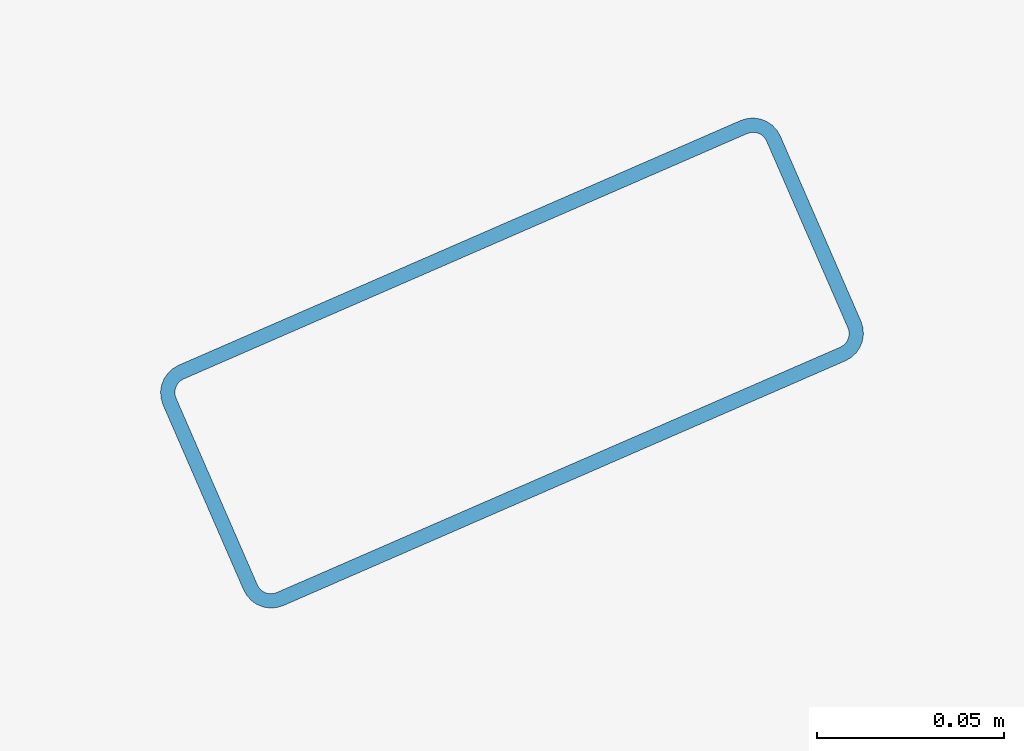
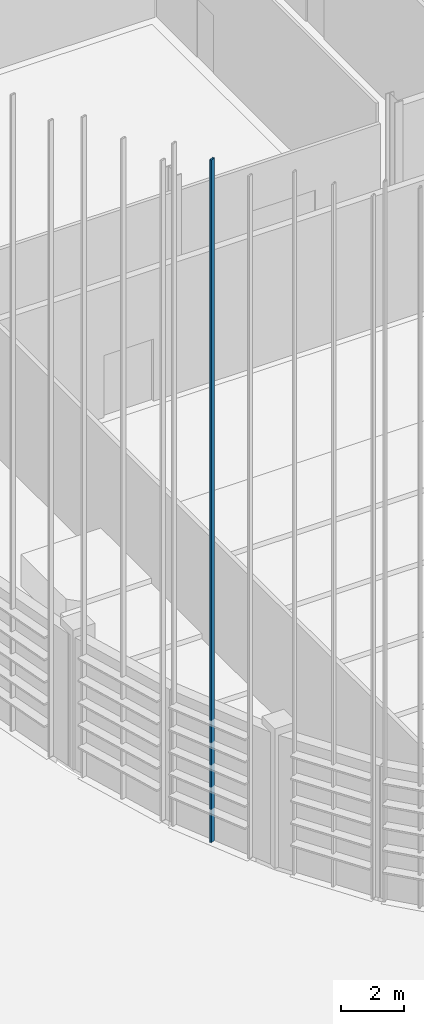
# One storey, part 69 of 372: 1 member.
"""IFC4 building model written with IfcOpenShell, lengths in metres."""

import ifcopenshell
import ifcopenshell.guid

model = None  # the IFC model being written
_history = None  # IfcOwnerHistory: only IFC2X3 demands one
_inside = {}  # id of a spatial element -> (the spatial element, [elements in it])
_under = {}  # id of a project, library or spatial element -> (it, [spatial elements below it])
_declared = {}  # id of a project -> (the project, [libraries it declares])
_typed = {}  # id of a type object -> (the type object, [elements of that type])
_made_of = {}  # id of a material, layer set ... -> (it, [elements and type objects made of it])


def new_model(schema):
    """Start an empty IFC model of exactly this schema.

    Asked for "IFC4X3", IfcOpenShell would pick the latest addendum, in which some entities
    have other attributes; the version numbers below select the first issue.
    IFC2X3 requires an IfcOwnerHistory on every rooted entity: one is made here for all.
    """
    global model, _history
    if schema == "IFC4X3":
        model = ifcopenshell.file(schema_version=(4, 3, 0, 0))
    else:
        model = ifcopenshell.file(schema=schema)
    _inside.clear()
    _under.clear()
    _declared.clear()
    _typed.clear()
    _made_of.clear()
    _history = None
    if model.schema == "IFC2X3":
        org = make("IfcOrganization", Name="unknown")
        user = make(
            "IfcPersonAndOrganization",
            ThePerson=make("IfcPerson", FamilyName="unknown"),
            TheOrganization=org,
        )
        app = make(
            "IfcApplication",
            ApplicationDeveloper=org,
            Version="unknown",
            ApplicationFullName="unknown",
            ApplicationIdentifier="unknown",
        )
        _history = make(
            "IfcOwnerHistory",
            OwningUser=user,
            OwningApplication=app,
            ChangeAction="ADDED",
            CreationDate=0,
        )
    return model


def make(cls, **values):
    """One entity of the class cls with the attributes given. An attribute that is None is left unset."""
    return model.create_entity(
        cls, **{name: value for name, value in values.items() if value is not None}
    )


def rooted(cls, **values):
    """An entity with a GlobalId (a new one), such as an element, a storey or a relation."""
    return make(cls, GlobalId=ifcopenshell.guid.new(), OwnerHistory=_history, **values)


def si_unit(unit_type, name, prefix=None):
    """IfcSIUnit, for example si_unit("LENGTHUNIT", "METRE", prefix="MILLI")."""
    return make("IfcSIUnit", UnitType=unit_type, Prefix=prefix, Name=name)


def assignment(units):
    """IfcUnitAssignment: the units of a project."""
    return None if units is None else make("IfcUnitAssignment", Units=units)


def point(xyz):
    """IfcCartesianPoint."""
    return None if xyz is None else make("IfcCartesianPoint", Coordinates=xyz)


def direction(xyz):
    """IfcDirection."""
    return None if xyz is None else make("IfcDirection", DirectionRatios=xyz)


def frame(location, z_axis=None, x_axis=None):
    """IfcAxis2Placement3D, a coordinate frame: its origin and axes. An axis left out is left unset."""
    return make(
        "IfcAxis2Placement3D",
        Location=point(location),
        Axis=direction(z_axis),
        RefDirection=direction(x_axis),
    )


def frame_2d(location, x_axis=None):
    """IfcAxis2Placement2D, a coordinate frame in the plane: its origin and x axis."""
    return make(
        "IfcAxis2Placement2D", Location=point(location), RefDirection=direction(x_axis)
    )


def origin():
    """The frame at (0, 0, 0) with its axes left unset."""
    return frame((0.0, 0.0, 0.0))


def origin_2d():
    """The frame at (0, 0) in the plane with its x axis left unset."""
    return frame_2d((0.0, 0.0))


def place(relative_to, where):
    """IfcLocalPlacement: puts the frame where relative to a parent placement (None: the world)."""
    return make(
        "IfcLocalPlacement", PlacementRelTo=relative_to, RelativePlacement=where
    )


def context(
    kind, dimensions, precision=None, world=None, true_north=None, identifier=None
):
    """IfcGeometricRepresentationContext, for example the 3D "Model" context."""
    return make(
        "IfcGeometricRepresentationContext",
        ContextIdentifier=identifier,
        ContextType=kind,
        CoordinateSpaceDimension=dimensions,
        Precision=precision,
        WorldCoordinateSystem=world,
        TrueNorth=true_north,
    )


def subcontext(parent, identifier, kind, view, scale=None):
    """IfcGeometricRepresentationSubContext, for example "Body" below "Model"."""
    return make(
        "IfcGeometricRepresentationSubContext",
        ContextIdentifier=identifier,
        ContextType=kind,
        ParentContext=parent,
        TargetScale=scale,
        TargetView=view,
    )


def project(units=None, contexts=None):
    """IfcProject with its units and contexts."""
    return rooted(
        "IfcProject",
        Name="project",
        RepresentationContexts=contexts,
        UnitsInContext=assignment(units),
    )


def spatial(cls, under=None, at=None, **own):
    """A site, building, storey or space (cls), placed at a placement, below another one or the project."""
    s = rooted(cls, ObjectPlacement=at, **own)
    if under is not None:
        _under.setdefault(under.id(), (under, []))[1].append(s)
    return s


def profile(cls, at=None, kind="AREA", **sizes):
    """A parametric profile (cls). Its sizes go by their IFC names, for example OverallWidth=200.0."""
    return make(cls, ProfileType=kind, Position=at, **sizes)


def hollow_rectangle(**sizes):
    """IfcRectangleHollowProfileDef."""
    return profile("IfcRectangleHollowProfileDef", **sizes)


def extrude(swept, where, along, depth):
    """IfcExtrudedAreaSolid: the profile swept, set in the frame where, extruded along a direction by depth."""
    return make(
        "IfcExtrudedAreaSolid",
        SweptArea=swept,
        Position=where,
        ExtrudedDirection=direction(along),
        Depth=depth,
    )


def shape(context_of_items, identifier, shape_type, items):
    """IfcShapeRepresentation: the items that make up one representation, for example the "Body"."""
    return make(
        "IfcShapeRepresentation",
        ContextOfItems=context_of_items,
        RepresentationIdentifier=identifier,
        RepresentationType=shape_type,
        Items=items,
    )


def material(Name=None, Category=None):
    """IfcMaterial."""
    return make("IfcMaterial", Name=Name, Category=Category)


def material_profile(
    of_material, cross_section, Name=None, Category=None, Priority=None
):
    """IfcMaterialProfile: a cross section and its material."""
    return make(
        "IfcMaterialProfile",
        Name=Name,
        Material=of_material,
        Profile=cross_section,
        Priority=Priority,
        Category=Category,
    )


def profile_set(profiles, Name=None, composite=None):
    """IfcMaterialProfileSet."""
    return make(
        "IfcMaterialProfileSet",
        Name=Name,
        MaterialProfiles=profiles,
        CompositeProfile=composite,
    )


def made_of(thing, what):
    """Note that an element or type object is made of a material, layer set ...; save() writes the relation."""
    if what is not None:
        _made_of.setdefault(what.id(), (what, []))[1].append(thing)
    return thing


def type_object(cls, material=None, **own):
    """A type object (cls), such as IfcWallType, which elements share."""
    return made_of(rooted(cls, **own), material)


def element(
    cls,
    number,
    at=None,
    inside=None,
    cuts=None,
    type_object=None,
    material=None,
    context=None,
    identifier="Body",
    shape_type=None,
    held_by="IfcProductDefinitionShape",
    body=None,
    shapes=None,
    **own,
):
    """One element of the class cls, such as IfcWall. Its Tag is "e" and its number.

    at: its placement. inside: the storey or other place that contains it. cuts: it is an
    opening in that element (IfcRelVoidsElement). A single representation is given by context,
    identifier, shape_type and body (its items); several are given by shapes. held_by: the class
    of the entity that holds the representations. save() writes the other relations.
    """
    e = rooted(cls, Tag="e%d" % number, ObjectPlacement=at, **own)
    if body is not None:
        shapes = [shape(context, identifier, shape_type, body)]
    if shapes is not None:
        e.Representation = make(held_by, Representations=shapes)
    if inside is not None:
        _inside.setdefault(inside.id(), (inside, []))[1].append(e)
    if cuts is not None:
        rooted(
            "IfcRelVoidsElement", RelatingBuildingElement=cuts, RelatedOpeningElement=e
        )
    if type_object is not None:
        _typed.setdefault(type_object.id(), (type_object, []))[1].append(e)
    return made_of(e, material)


def aggregate(whole, parts):
    """IfcRelAggregates: a whole, such as a stair, and the parts it consists of."""
    return rooted("IfcRelAggregates", RelatingObject=whole, RelatedObjects=parts)


def save(model, path):
    """Write the relations noted so far, then the file.

    IfcRelAggregates (storeys below a building ...), IfcRelContainedInSpatialStructure (elements
    in a storey), IfcRelDefinesByType, IfcRelAssociatesMaterial and IfcRelDeclares: one each for
    every whole, place, type object, material and project.
    """
    for whole, parts in _under.values():
        aggregate(whole, parts)
    for where, things in _inside.values():
        rooted(
            "IfcRelContainedInSpatialStructure",
            RelatedElements=things,
            RelatingStructure=where,
        )
    for kind, things in _typed.values():
        rooted("IfcRelDefinesByType", RelatedObjects=things, RelatingType=kind)
    for what, things in _made_of.values():
        rooted("IfcRelAssociatesMaterial", RelatedObjects=things, RelatingMaterial=what)
    for by, libraries in _declared.values():
        rooted("IfcRelDeclares", RelatingContext=by, RelatedDefinitions=libraries)
    model.write(path)


model = new_model("IFC4")

# Units and contexts
model_context = context("Model", 3, precision=1e-05, world=origin(), true_north=direction((0.0, 1.0)))
body_context = subcontext(model_context, "Body", "Model", "MODEL_VIEW")
ifc_project = project(units=[si_unit("LENGTHUNIT", "METRE"), si_unit("AREAUNIT", "SQUARE_METRE"), si_unit("VOLUMEUNIT", "CUBIC_METRE"), si_unit("PLANEANGLEUNIT", "RADIAN"), si_unit("MASSUNIT", "GRAM", prefix="KILO")], contexts=[model_context])

# Site, building, storey
site_placement = place(None, origin())
site = spatial("IfcSite", under=ifc_project, at=site_placement, CompositionType="ELEMENT")
building_placement = place(site_placement, origin())
building = spatial("IfcBuilding", under=site, at=building_placement, Name="Kaelora Sail Theatre", CompositionType="ELEMENT")
storey_placement = place(building_placement, origin())
storey = spatial("IfcBuildingStorey", under=building, at=storey_placement, Name="L00", CompositionType="ELEMENT", Elevation=0.0)

# Member
ifc_material = material(Name="Anodised aluminium 6063-T6", Category="aluminium")
ifc_material_profile = material_profile(ifc_material, hollow_rectangle(XDim=0.070068359375, YDim=0.179931640625, WallThickness=0.00390625, InnerFilletRadius=0.00390625, OuterFilletRadius=0.008056640625, at=origin_2d()), Name="ALU-MULL 70x180x4")
ifc_profile_set = profile_set([ifc_material_profile], Name="Anodised aluminium 6063-T6")
member_type = type_object("IfcMemberType", Name="ARC-MEM-PST-160", PredefinedType="POST", material=ifc_profile_set)
member_placement = place(storey_placement, frame((28.39990234375, 34.982666015625, 0.0), z_axis=(0.0, 0.0, 1.0), x_axis=(-0.399229185776, 0.916851164162, 0.0)))
element("IfcMember", 1, at=member_placement, inside=storey, type_object=member_type, Name="Main Theatre Sail Drum solar louvre vertical support post C17-2", PredefinedType="POST", context=body_context, shape_type="SweptSolid", body=[
    extrude(hollow_rectangle(XDim=0.070068359375, YDim=0.179931640625, WallThickness=0.00390625, InnerFilletRadius=0.00390625, OuterFilletRadius=0.008056640625, at=origin_2d()), origin(), (0.0, 0.0, 1.0), 26.402099609375),
])

save(model, "model.ifc")
